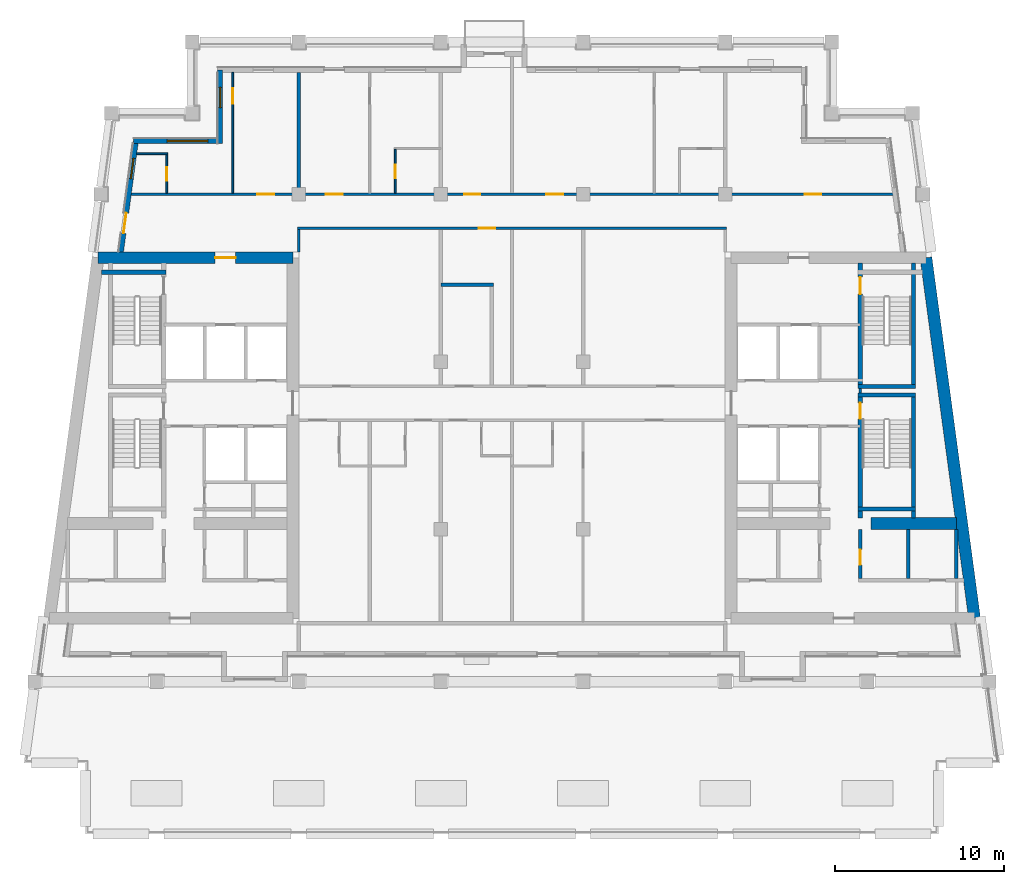
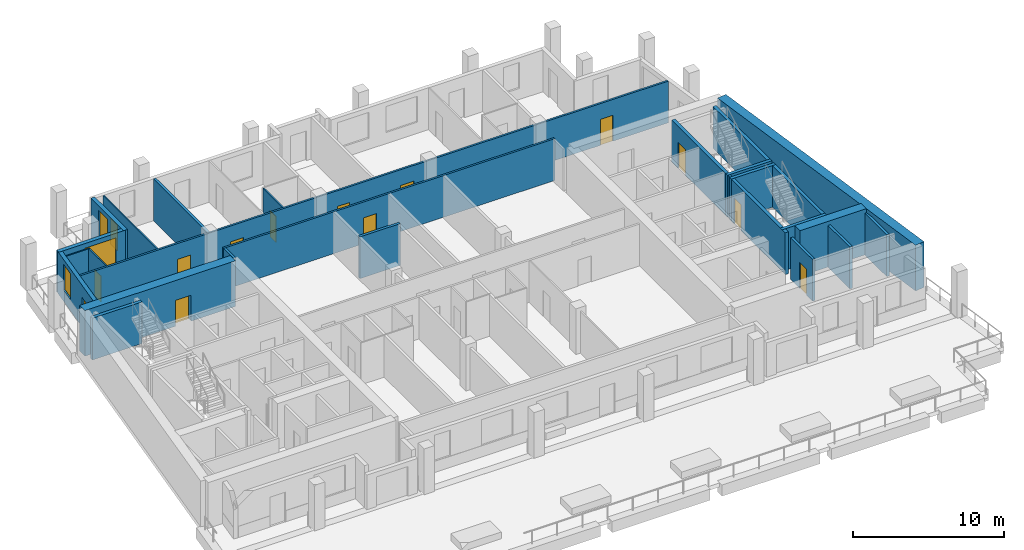
# One storey, part 5 of 12: 27 walls, 14 doors, 3 windows, 17 openings.
"""IFC4 building model written with IfcOpenShell, lengths in metres."""

from ifc_helpers import new_model, si_unit, direction, frame, frame_2d, origin, place, context, subcontext, project, spatial, rectangle, extrude, material, layer, layer_set, type_object, element, fill, save


model = new_model("IFC4")

# Units and contexts
model_context = context("Model", 3, precision=1e-05, world=origin(), true_north=direction((0.0, 1.0)))
body_context = subcontext(model_context, "Body", "Model", "MODEL_VIEW")
ifc_project = project(units=[si_unit("LENGTHUNIT", "METRE"), si_unit("AREAUNIT", "SQUARE_METRE"), si_unit("VOLUMEUNIT", "CUBIC_METRE"), si_unit("PLANEANGLEUNIT", "RADIAN"), si_unit("MASSUNIT", "GRAM", prefix="KILO")], contexts=[model_context])

# Site, building, storey
site_placement = place(None, origin())
site = spatial("IfcSite", under=ifc_project, at=site_placement, CompositionType="ELEMENT")
building_placement = place(site_placement, origin())
building = spatial("IfcBuilding", under=site, at=building_placement, Name="Candeia Pilgrim Tower and Theatre", CompositionType="ELEMENT")
storey_placement = place(building_placement, frame((0.0, 0.0, 259.0)))
storey = spatial("IfcBuildingStorey", under=building, at=storey_placement, Name="L62", CompositionType="ELEMENT", Elevation=259.0)

# Wall, opening, door
ifc_material_1 = material(Name="Concrete C40/50", Category="concrete")
ifc_layer_1 = layer(ifc_material_1, 0.699951171875)
ifc_layer_set_1 = layer_set([ifc_layer_1], Name="Core wall 700 C40/50")
wall_type_1 = type_object("IfcWallType", Name="Core wall 700 C40/50", PredefinedType="SHEAR", material=ifc_layer_set_1)
wall_1_placement = place(storey_placement, frame((88.936767578125, 132.050048828125, 0.0), z_axis=(0.0, 0.0, 1.0), x_axis=(1.0, 0.0, 0.0)))
wall_1 = element("IfcWall", 1, at=wall_1_placement, inside=storey, type_object=wall_type_1, Name="Core wall W1", PredefinedType="SHEAR", context=body_context, shape_type="SweptSolid", body=[
    extrude(rectangle(XDim=11.51318359375, YDim=0.699951171875, at=frame_2d((5.756591796875, 0.0))), origin(), (0.0, 0.0, 1.0), 3.699951171875),
])
opening_1_placement = place(wall_1_placement, frame((6.9267578125, 0.0, 0.0)))
opening_1 = element("IfcOpeningElement", 2, at=opening_1_placement, cuts=wall_1, Name="Opening L62-D044", PredefinedType="OPENING", context=body_context, shape_type="SweptSolid", body=[
    extrude(rectangle(XDim=1.199951171875, YDim=2.10009765625, at=frame_2d((0.60009765625, 1.050048828125))), frame((0.0, 0.35986328125, 0.0), z_axis=(0.0, -1.0, 0.0), x_axis=(1.0, 0.0, 0.0)), (0.0, 0.0, 1.0), 0.719970703125),
])
ifc_material_2 = material(Name="Steel fire door set", Category="steel")
door_type_1 = type_object("IfcDoorType", Name="D-1200-FD60", OperationType="NOTDEFINED", PredefinedType="DOOR", material=ifc_material_2)
door_1_placement = place(opening_1_placement, origin())
door_1 = element("IfcDoor", 3, at=door_1_placement, inside=storey, type_object=door_type_1, Name="Door L62-D044", OperationType="SINGLE_SWING_RIGHT", OverallHeight=2.10009765625, OverallWidth=1.199951171875, PredefinedType="DOOR", context=body_context, shape_type="SweptSolid", body=[
    extrude(rectangle(XDim=1.199951171875, YDim=2.10009765625, at=frame_2d((0.60009765625, 1.050048828125))), frame((0.0, 0.02490234375, 0.0), z_axis=(0.0, -1.0, 0.0), x_axis=(1.0, 0.0, 0.0)), (0.0, 0.0, 1.0), 0.050048828125),
])
fill(opening_1, door_1)

# Walls
wall_2_placement = place(storey_placement, frame((137.86328125, 132.050048828125, 0.0), z_axis=(0.0, 0.0, 1.0), x_axis=(0.133406218907, -0.991061441464, 0.0)))
element("IfcWall", 4, at=wall_2_placement, inside=storey, type_object=wall_type_1, Name="Core wall E2", PredefinedType="SHEAR", context=body_context, shape_type="SweptSolid", body=[
    extrude(rectangle(XDim=21.4921875, YDim=0.699951171875, at=frame_2d((10.74609375, 0.0))), origin(), (0.0, 0.0, 1.0), 3.699951171875),
])
wall_3_placement = place(storey_placement, frame((134.60009765625, 116.35009765625, 0.0), z_axis=(0.0, 0.0, 1.0), x_axis=(1.0, 0.0, 0.0)))
element("IfcWall", 5, at=wall_3_placement, inside=storey, type_object=wall_type_1, Name="Core wall E6", PredefinedType="SHEAR", context=body_context, shape_type="SweptSolid", body=[
    extrude(rectangle(XDim=5.076904296875, YDim=0.699951171875, at=frame_2d((2.53857421875, 0.0))), origin(), (0.0, 0.0, 1.0), 3.699951171875),
])

# Wall, openings, door, window
ifc_material_3 = material(Name="Ceramic block masonry", Category="masonry")
ifc_layer_2 = layer(ifc_material_3, 0.300048828125)
ifc_layer_set_2 = layer_set([ifc_layer_2], Name="EW1 glazing-line wall 300")
wall_type_2 = type_object("IfcWallType", Name="EW1 glazing-line wall 300", PredefinedType="SOLIDWALL", material=ifc_layer_set_2)
wall_4_placement = place(storey_placement, frame((91.177490234375, 138.949951171875, 0.0), z_axis=(0.0, 0.0, 1.0), x_axis=(-0.133426664613, -0.991058689065, 0.0)))
wall_4 = element("IfcWall", 6, at=wall_4_placement, inside=storey, type_object=wall_type_2, Name="External wall L62-0.0", PredefinedType="SOLIDWALL", context=body_context, shape_type="SweptSolid", body=[
    extrude(rectangle(XDim=6.609130859375, YDim=0.300048828125, at=frame_2d((3.3046875, 0.0))), origin(), (0.0, 0.0, 1.0), 3.3798828125),
])
opening_2_placement = place(wall_4_placement, frame((1.039306640625, 0.0, 0.89990234375)))
opening_2 = element("IfcOpeningElement", 7, at=opening_2_placement, cuts=wall_4, Name="Opening W-B", PredefinedType="OPENING", context=body_context, shape_type="SweptSolid", body=[
    extrude(rectangle(XDim=1.199951171875, YDim=2.10009765625, at=frame_2d((0.60009765625, 1.050048828125))), frame((0.0, 0.16015625, 0.0), z_axis=(0.0, -1.0, 0.0), x_axis=(1.0, 0.0, 0.0)), (0.0, 0.0, 1.0), 0.320068359375),
])
opening_3_placement = place(wall_4_placement, frame((4.293701171875, 0.0, 0.0)))
opening_3 = element("IfcOpeningElement", 8, at=opening_3_placement, cuts=wall_4, Name="Opening L62-ED585", PredefinedType="OPENING", context=body_context, shape_type="SweptSolid", body=[
    extrude(rectangle(XDim=1.199951171875, YDim=2.39990234375, at=frame_2d((0.60009765625, 1.199951171875))), frame((0.0, 0.16015625, 0.0), z_axis=(0.0, -1.0, 0.0), x_axis=(1.0, 0.0, 0.0)), (0.0, 0.0, 1.0), 0.320068359375),
])
ifc_material_4 = material(Name="Aluminium framed glazed door", Category="aluminium")
door_type_2 = type_object("IfcDoorType", Name="Loggia door 1200x2400", OperationType="DOUBLE_DOOR_SINGLE_SWING", PredefinedType="DOOR", material=ifc_material_4)
door_2_placement = place(opening_3_placement, origin())
door_2 = element("IfcDoor", 9, at=door_2_placement, inside=storey, type_object=door_type_2, Name="Loggia door L62-ED585", OperationType="DOUBLE_DOOR_SINGLE_SWING", OverallHeight=2.39990234375, OverallWidth=1.199951171875, PredefinedType="DOOR", context=body_context, shape_type="SweptSolid", body=[
    extrude(rectangle(XDim=1.199951171875, YDim=2.39990234375, at=frame_2d((0.60009765625, 1.199951171875))), frame((0.0, 0.02490234375, 0.0), z_axis=(0.0, -1.0, 0.0), x_axis=(1.0, 0.0, 0.0)), (0.0, 0.0, 1.0), 0.050048828125),
])
fill(opening_3, door_2)
ifc_material_5 = material(Name="Aluminium framed double glazing", Category="aluminium")
window_type_1 = type_object("IfcWindowType", Name="W-B window 1200x2100", PartitioningType="SINGLE_PANEL", PredefinedType="WINDOW", material=ifc_material_5)
window_1_placement = place(opening_2_placement, origin())
window_1 = element("IfcWindow", 10, at=window_1_placement, inside=storey, type_object=window_type_1, Name="Window W-B L62", OverallHeight=2.10009765625, OverallWidth=1.199951171875, PartitioningType="SINGLE_PANEL", PredefinedType="WINDOW", context=body_context, shape_type="SweptSolid", body=[
    extrude(rectangle(XDim=1.199951171875, YDim=2.10009765625, at=frame_2d((0.60009765625, 1.050048828125))), frame((0.0, 0.030029296875, 0.0), z_axis=(0.0, -1.0, 0.0), x_axis=(1.0, 0.0, 0.0)), (0.0, 0.0, 1.0), 0.06005859375),
])
fill(opening_2, window_1)

# Wall, opening, window
wall_5_placement = place(storey_placement, frame((96.14990234375, 143.14990234375, 0.0), z_axis=(0.0, 0.0, 1.0), x_axis=(0.0, -1.0, 0.0)))
wall_5 = element("IfcWall", 11, at=wall_5_placement, inside=storey, type_object=wall_type_2, Name="External wall L62-6.0", PredefinedType="SOLIDWALL", context=body_context, shape_type="SweptSolid", body=[
    extrude(rectangle(XDim=4.349853515625, YDim=0.300048828125, at=frame_2d((2.1748046875, 0.0))), origin(), (0.0, 0.0, 1.0), 3.3798828125),
])
opening_4_placement = place(wall_5_placement, frame((1.02490234375, 0.0, 0.89990234375)))
opening_4 = element("IfcOpeningElement", 12, at=opening_4_placement, cuts=wall_5, Name="Opening W-B", PredefinedType="OPENING", context=body_context, shape_type="SweptSolid", body=[
    extrude(rectangle(XDim=1.199951171875, YDim=2.10009765625, at=frame_2d((0.60009765625, 1.050048828125))), frame((0.0, 0.16015625, 0.0), z_axis=(0.0, -1.0, 0.0), x_axis=(1.0, 0.0, 0.0)), (0.0, 0.0, 1.0), 0.320068359375),
])
window_2_placement = place(opening_4_placement, origin())
window_2 = element("IfcWindow", 13, at=window_2_placement, inside=storey, type_object=window_type_1, Name="Window W-B L62", OverallHeight=2.10009765625, OverallWidth=1.199951171875, PartitioningType="SINGLE_PANEL", PredefinedType="WINDOW", context=body_context, shape_type="SweptSolid", body=[
    extrude(rectangle(XDim=1.199951171875, YDim=2.10009765625, at=frame_2d((0.60009765625, 1.050048828125))), frame((0.0, 0.030029296875, 0.0), z_axis=(0.0, -1.0, 0.0), x_axis=(1.0, 0.0, 0.0)), (0.0, 0.0, 1.0), 0.06005859375),
])
fill(opening_4, window_2)

wall_6_placement = place(storey_placement, frame((96.14990234375, 138.949951171875, 0.0), z_axis=(0.0, 0.0, 1.0), x_axis=(-1.0, 0.0, 0.0)))
wall_6 = element("IfcWall", 14, at=wall_6_placement, inside=storey, type_object=wall_type_2, Name="External wall L62-7.0", PredefinedType="SOLIDWALL", context=body_context, shape_type="SweptSolid", body=[
    extrude(rectangle(XDim=5.103759765625, YDim=0.300048828125, at=frame_2d((2.5517578125, 0.0))), origin(), (0.0, 0.0, 1.0), 3.3798828125),
])
opening_5_placement = place(wall_6_placement, frame((0.72509765625, 0.0, 0.89990234375)))
opening_5 = element("IfcOpeningElement", 15, at=opening_5_placement, cuts=wall_6, Name="Opening W-A", PredefinedType="OPENING", context=body_context, shape_type="SweptSolid", body=[
    extrude(rectangle(XDim=2.39990234375, YDim=2.10009765625, at=frame_2d((1.199951171875, 1.050048828125))), frame((0.0, 0.16015625, 0.0), z_axis=(0.0, -1.0, 0.0), x_axis=(1.0, 0.0, 0.0)), (0.0, 0.0, 1.0), 0.320068359375),
])
window_type_2 = type_object("IfcWindowType", Name="W-A window 2400x2100", PartitioningType="DOUBLE_PANEL_VERTICAL", PredefinedType="WINDOW", material=ifc_material_5)
window_3_placement = place(opening_5_placement, origin())
window_3 = element("IfcWindow", 16, at=window_3_placement, inside=storey, type_object=window_type_2, Name="Window W-A L62", OverallHeight=2.10009765625, OverallWidth=2.39990234375, PartitioningType="SINGLE_PANEL", PredefinedType="WINDOW", context=body_context, shape_type="SweptSolid", body=[
    extrude(rectangle(XDim=2.39990234375, YDim=2.10009765625, at=frame_2d((1.199951171875, 1.050048828125))), frame((0.0, 0.030029296875, 0.0), z_axis=(0.0, -1.0, 0.0), x_axis=(1.0, 0.0, 0.0)), (0.0, 0.0, 1.0), 0.06005859375),
])
fill(opening_5, window_3)

# Wall
ifc_material_6 = material(Name="Gypsum board partition on steel studs", Category="steel")
ifc_layer_3 = layer(ifc_material_6, 0.10009765625)
ifc_layer_set_3 = layer_set([ifc_layer_3], Name="PW-100 room partition")
wall_type_3 = type_object("IfcWallType", Name="PW-100 room partition", PredefinedType="PARTITIONING", material=ifc_layer_set_3)
wall_7_placement = place(storey_placement, frame((91.2177734375, 138.199951171875, 0.0), z_axis=(0.0, 0.0, 1.0), x_axis=(1.0, 0.0, 0.0)))
element("IfcWall", 17, at=wall_7_placement, inside=storey, type_object=wall_type_3, Name="Room partition L62-038", PredefinedType="PARTITIONING", context=body_context, shape_type="SweptSolid", body=[
    extrude(rectangle(XDim=1.832275390625, YDim=0.10009765625, at=frame_2d((0.916015625, 0.0))), origin(), (0.0, 0.0, 1.0), 3.3798828125),
])

# Wall, opening, door
wall_8_placement = place(storey_placement, frame((93.0, 135.875, 0.0), z_axis=(0.0, 0.0, 1.0), x_axis=(0.0, 1.0, 0.0)))
wall_8 = element("IfcWall", 18, at=wall_8_placement, inside=storey, type_object=wall_type_3, Name="Room partition L62-050", PredefinedType="PARTITIONING", context=body_context, shape_type="SweptSolid", body=[
    extrude(rectangle(XDim=2.27490234375, YDim=0.10009765625, at=frame_2d((1.137451171875, 0.0))), origin(), (0.0, 0.0, 1.0), 3.3798828125),
])
opening_6_placement = place(wall_8_placement, frame((0.72509765625, 0.0, 0.0)))
opening_6 = element("IfcOpeningElement", 19, at=opening_6_placement, cuts=wall_8, Name="Opening L62-D028", PredefinedType="OPENING", context=body_context, shape_type="SweptSolid", body=[
    extrude(rectangle(XDim=0.800048828125, YDim=2.10009765625, at=frame_2d((0.39990234375, 1.050048828125))), frame((0.0, 0.06005859375, 0.0), z_axis=(0.0, -1.0, 0.0), x_axis=(1.0, 0.0, 0.0)), (0.0, 0.0, 1.0), 0.1201171875),
])
ifc_material_7 = material(Name="Timber door leaf", Category="wood")
door_type_3 = type_object("IfcDoorType", Name="D-800", OperationType="NOTDEFINED", PredefinedType="DOOR", material=ifc_material_7)
door_3_placement = place(opening_6_placement, origin())
door_3 = element("IfcDoor", 20, at=door_3_placement, inside=storey, type_object=door_type_3, Name="Door L62-D028", OperationType="SINGLE_SWING_RIGHT", OverallHeight=2.10009765625, OverallWidth=0.800048828125, PredefinedType="DOOR", context=body_context, shape_type="SweptSolid", body=[
    extrude(rectangle(XDim=0.800048828125, YDim=2.10009765625, at=frame_2d((0.39990234375, 1.050048828125))), frame((0.0, 0.02490234375, 0.0), z_axis=(0.0, -1.0, 0.0), x_axis=(1.0, 0.0, 0.0)), (0.0, 0.0, 1.0), 0.050048828125),
])
fill(opening_6, door_3)

wall_9_placement = place(storey_placement, frame((96.89990234375, 135.875, 0.0), z_axis=(0.0, 0.0, 1.0), x_axis=(0.0, 1.0, 0.0)))
wall_9 = element("IfcWall", 21, at=wall_9_placement, inside=storey, type_object=wall_type_3, Name="Room partition L62-054", PredefinedType="PARTITIONING", context=body_context, shape_type="SweptSolid", body=[
    extrude(rectangle(XDim=7.135009765625, YDim=0.10009765625, at=frame_2d((3.5673828125, 0.0))), origin(), (0.0, 0.0, 1.0), 3.3798828125),
])
opening_7_placement = place(wall_9_placement, frame((5.2900390625, 0.0, 0.0)))
opening_7 = element("IfcOpeningElement", 22, at=opening_7_placement, cuts=wall_9, Name="Opening L62-D027", PredefinedType="OPENING", context=body_context, shape_type="SweptSolid", body=[
    extrude(rectangle(XDim=0.89990234375, YDim=2.10009765625, at=frame_2d((0.449951171875, 1.050048828125))), frame((0.0, 0.06005859375, 0.0), z_axis=(0.0, -1.0, 0.0), x_axis=(1.0, 0.0, 0.0)), (0.0, 0.0, 1.0), 0.1201171875),
])
door_type_4 = type_object("IfcDoorType", Name="D-900", OperationType="NOTDEFINED", PredefinedType="DOOR", material=ifc_material_7)
door_4_placement = place(opening_7_placement, origin())
door_4 = element("IfcDoor", 23, at=door_4_placement, inside=storey, type_object=door_type_4, Name="Door L62-D027", OperationType="SINGLE_SWING_LEFT", OverallHeight=2.10009765625, OverallWidth=0.89990234375, PredefinedType="DOOR", context=body_context, shape_type="SweptSolid", body=[
    extrude(rectangle(XDim=0.89990234375, YDim=2.10009765625, at=frame_2d((0.449951171875, 1.050048828125))), frame((0.0, 0.02490234375, 0.0), z_axis=(0.0, -1.0, 0.0), x_axis=(1.0, 0.0, 0.0)), (0.0, 0.0, 1.0), 0.050048828125),
])
fill(opening_7, door_4)

wall_10_placement = place(storey_placement, frame((106.5, 135.875, 0.0), z_axis=(0.0, 0.0, 1.0), x_axis=(0.0, 1.0, 0.0)))
wall_10 = element("IfcWall", 24, at=wall_10_placement, inside=storey, type_object=wall_type_3, Name="Room partition L62-065", PredefinedType="PARTITIONING", context=body_context, shape_type="SweptSolid", body=[
    extrude(rectangle(XDim=2.574951171875, YDim=0.10009765625, at=frame_2d((1.28759765625, 0.0))), origin(), (0.0, 0.0, 1.0), 3.3798828125),
])
opening_8_placement = place(wall_10_placement, frame((0.875, 0.0, 0.0)))
opening_8 = element("IfcOpeningElement", 25, at=opening_8_placement, cuts=wall_10, Name="Opening L62-D031", PredefinedType="OPENING", context=body_context, shape_type="SweptSolid", body=[
    extrude(rectangle(XDim=0.800048828125, YDim=2.10009765625, at=frame_2d((0.39990234375, 1.050048828125))), frame((0.0, 0.06005859375, 0.0), z_axis=(0.0, -1.0, 0.0), x_axis=(1.0, 0.0, 0.0)), (0.0, 0.0, 1.0), 0.1201171875),
])
door_5_placement = place(opening_8_placement, origin())
door_5 = element("IfcDoor", 26, at=door_5_placement, inside=storey, type_object=door_type_3, Name="Door L62-D031", OperationType="SINGLE_SWING_LEFT", OverallHeight=2.10009765625, OverallWidth=0.800048828125, PredefinedType="DOOR", context=body_context, shape_type="SweptSolid", body=[
    extrude(rectangle(XDim=0.800048828125, YDim=2.10009765625, at=frame_2d((0.39990234375, 1.050048828125))), frame((0.0, 0.02490234375, 0.0), z_axis=(0.0, -1.0, 0.0), x_axis=(1.0, 0.0, 0.0)), (0.0, 0.0, 1.0), 0.050048828125),
])
fill(opening_8, door_5)

# Wall
ifc_layer_4 = layer(ifc_material_6, 0.14990234375)
ifc_layer_set_4 = layer_set([ifc_layer_4], Name="PW-150 lobby wall")
wall_type_4 = type_object("IfcWallType", Name="PW-150 lobby wall", PredefinedType="PARTITIONING", material=ifc_layer_set_4)
wall_11_placement = place(storey_placement, frame((133.972900390625, 124.074951171875, 0.0), z_axis=(0.0, 0.0, 1.0), x_axis=(0.0, 1.0, 0.0)))
element("IfcWall", 27, at=wall_11_placement, inside=storey, type_object=wall_type_4, Name="Lobby wall L62-091", PredefinedType="PARTITIONING", context=body_context, shape_type="SweptSolid", body=[
    extrude(rectangle(XDim=0.25, YDim=0.14990234375, at=frame_2d((0.125, 0.0))), origin(), (0.0, 0.0, 1.0), 3.3798828125),
])

# Wall, opening, door
ifc_layer_5 = layer(ifc_material_6, 0.14990234375)
ifc_layer_set_5 = layer_set([ifc_layer_5], Name="PW-150 unit wall")
wall_type_5 = type_object("IfcWallType", Name="PW-150 unit wall", PredefinedType="PARTITIONING", material=ifc_layer_set_5)
wall_12_placement = place(storey_placement, frame((100.72509765625, 133.800048828125, 0.0), z_axis=(0.0, 0.0, 1.0), x_axis=(1.0, 0.0, 0.0)))
wall_12 = element("IfcWall", 28, at=wall_12_placement, inside=storey, type_object=wall_type_5, Name="Unit wall L62-036", PredefinedType="PARTITIONING", context=body_context, shape_type="SweptSolid", body=[
    extrude(rectangle(XDim=25.349853515625, YDim=0.14990234375, at=frame_2d((12.6748046875, 0.0))), origin(), (0.0, 0.0, 1.0), 3.3798828125),
])
opening_9_placement = place(wall_12_placement, frame((10.699951171875, 0.0, 0.0)))
opening_9 = element("IfcOpeningElement", 29, at=opening_9_placement, cuts=wall_12, Name="Opening L62-D037", PredefinedType="OPENING", context=body_context, shape_type="SweptSolid", body=[
    extrude(rectangle(XDim=1.0, YDim=2.10009765625, at=frame_2d((0.5, 1.050048828125))), frame((0.0, 0.0849609375, 0.0), z_axis=(0.0, -1.0, 0.0), x_axis=(1.0, 0.0, 0.0)), (0.0, 0.0, 1.0), 0.169921875),
])
door_type_5 = type_object("IfcDoorType", Name="D-1000-FD30S", OperationType="NOTDEFINED", PredefinedType="DOOR", material=ifc_material_2)
door_6_placement = place(opening_9_placement, origin())
door_6 = element("IfcDoor", 30, at=door_6_placement, inside=storey, type_object=door_type_5, Name="Door L62-D037", OperationType="SINGLE_SWING_LEFT", OverallHeight=2.10009765625, OverallWidth=1.0, PredefinedType="DOOR", context=body_context, shape_type="SweptSolid", body=[
    extrude(rectangle(XDim=1.0, YDim=2.10009765625, at=frame_2d((0.5, 1.050048828125))), frame((0.0, 0.02490234375, 0.0), z_axis=(0.0, -1.0, 0.0), x_axis=(1.0, 0.0, 0.0)), (0.0, 0.0, 1.0), 0.050048828125),
])
fill(opening_9, door_6)

# Wall, openings, doors
wall_13_placement = place(storey_placement, frame((90.89453125, 135.800048828125, 0.0), z_axis=(0.0, 0.0, 1.0), x_axis=(1.0, 0.0, 0.0)))
wall_13 = element("IfcWall", 31, at=wall_13_placement, inside=storey, type_object=wall_type_5, Name="Unit wall L62-037", PredefinedType="PARTITIONING", context=body_context, shape_type="SweptSolid", body=[
    extrude(rectangle(XDim=45.010986328125, YDim=0.14990234375, at=frame_2d((22.50537109375, 0.0))), origin(), (0.0, 0.0, 1.0), 3.3798828125),
])
opening_10_placement = place(wall_13_placement, frame((7.455322265625, 0.0, 0.0)))
opening_10 = element("IfcOpeningElement", 32, at=opening_10_placement, cuts=wall_13, Name="Opening L62-D026", PredefinedType="OPENING", context=body_context, shape_type="SweptSolid", body=[
    extrude(rectangle(XDim=1.0, YDim=2.10009765625, at=frame_2d((0.5, 1.050048828125))), frame((0.0, 0.0849609375, 0.0), z_axis=(0.0, -1.0, 0.0), x_axis=(1.0, 0.0, 0.0)), (0.0, 0.0, 1.0), 0.169921875),
])
opening_11_placement = place(wall_13_placement, frame((11.50537109375, 0.0, 0.0)))
opening_11 = element("IfcOpeningElement", 33, at=opening_11_placement, cuts=wall_13, Name="Opening L62-D029", PredefinedType="OPENING", context=body_context, shape_type="SweptSolid", body=[
    extrude(rectangle(XDim=1.0, YDim=2.10009765625, at=frame_2d((0.5, 1.050048828125))), frame((0.0, 0.0849609375, 0.0), z_axis=(0.0, -1.0, 0.0), x_axis=(1.0, 0.0, 0.0)), (0.0, 0.0, 1.0), 0.169921875),
])
opening_12_placement = place(wall_13_placement, frame((19.67529296875, 0.0, 0.0)))
opening_12 = element("IfcOpeningElement", 34, at=opening_12_placement, cuts=wall_13, Name="Opening L62-D032", PredefinedType="OPENING", context=body_context, shape_type="SweptSolid", body=[
    extrude(rectangle(XDim=0.949951171875, YDim=2.10009765625, at=frame_2d((0.47509765625, 1.050048828125))), frame((0.0, 0.0849609375, 0.0), z_axis=(0.0, -1.0, 0.0), x_axis=(1.0, 0.0, 0.0)), (0.0, 0.0, 1.0), 0.169921875),
])
opening_13_placement = place(wall_13_placement, frame((24.530517578125, 0.0, 0.0)))
opening_13 = element("IfcOpeningElement", 35, at=opening_13_placement, cuts=wall_13, Name="Opening L62-D033", PredefinedType="OPENING", context=body_context, shape_type="SweptSolid", body=[
    extrude(rectangle(XDim=1.0, YDim=2.10009765625, at=frame_2d((0.5, 1.050048828125))), frame((0.0, 0.0849609375, 0.0), z_axis=(0.0, -1.0, 0.0), x_axis=(1.0, 0.0, 0.0)), (0.0, 0.0, 1.0), 0.169921875),
])
opening_14_placement = place(wall_13_placement, frame((39.814453125, 0.0, 0.0)))
opening_14 = element("IfcOpeningElement", 36, at=opening_14_placement, cuts=wall_13, Name="Opening L62-D036", PredefinedType="OPENING", context=body_context, shape_type="SweptSolid", body=[
    extrude(rectangle(XDim=0.949951171875, YDim=2.10009765625, at=frame_2d((0.47509765625, 1.050048828125))), frame((0.0, 0.0849609375, 0.0), z_axis=(0.0, -1.0, 0.0), x_axis=(1.0, 0.0, 0.0)), (0.0, 0.0, 1.0), 0.169921875),
])
door_7_placement = place(opening_10_placement, origin())
door_7 = element("IfcDoor", 37, at=door_7_placement, inside=storey, type_object=door_type_5, Name="Door L62-D026", OperationType="SINGLE_SWING_RIGHT", OverallHeight=2.10009765625, OverallWidth=1.0, PredefinedType="DOOR", context=body_context, shape_type="SweptSolid", body=[
    extrude(rectangle(XDim=1.0, YDim=2.10009765625, at=frame_2d((0.5, 1.050048828125))), frame((0.0, 0.02490234375, 0.0), z_axis=(0.0, -1.0, 0.0), x_axis=(1.0, 0.0, 0.0)), (0.0, 0.0, 1.0), 0.050048828125),
])
fill(opening_10, door_7)
door_8_placement = place(opening_11_placement, origin())
door_8 = element("IfcDoor", 38, at=door_8_placement, inside=storey, type_object=door_type_5, Name="Door L62-D029", OperationType="SINGLE_SWING_LEFT", OverallHeight=2.10009765625, OverallWidth=1.0, PredefinedType="DOOR", context=body_context, shape_type="SweptSolid", body=[
    extrude(rectangle(XDim=1.0, YDim=2.10009765625, at=frame_2d((0.5, 1.050048828125))), frame((0.0, 0.02490234375, 0.0), z_axis=(0.0, -1.0, 0.0), x_axis=(1.0, 0.0, 0.0)), (0.0, 0.0, 1.0), 0.050048828125),
])
fill(opening_11, door_8)
door_9_placement = place(opening_13_placement, origin())
door_9 = element("IfcDoor", 39, at=door_9_placement, inside=storey, type_object=door_type_5, Name="Door L62-D033", OperationType="SINGLE_SWING_LEFT", OverallHeight=2.10009765625, OverallWidth=1.0, PredefinedType="DOOR", context=body_context, shape_type="SweptSolid", body=[
    extrude(rectangle(XDim=1.0, YDim=2.10009765625, at=frame_2d((0.5, 1.050048828125))), frame((0.0, 0.02490234375, 0.0), z_axis=(0.0, -1.0, 0.0), x_axis=(1.0, 0.0, 0.0)), (0.0, 0.0, 1.0), 0.050048828125),
])
fill(opening_13, door_9)
door_type_6 = type_object("IfcDoorType", Name="D-950-FD30S", OperationType="NOTDEFINED", PredefinedType="DOOR", material=ifc_material_2)
door_10_placement = place(opening_12_placement, origin())
door_10 = element("IfcDoor", 40, at=door_10_placement, inside=storey, type_object=door_type_6, Name="Door L62-D032", OperationType="SINGLE_SWING_RIGHT", OverallHeight=2.10009765625, OverallWidth=0.949951171875, PredefinedType="DOOR", context=body_context, shape_type="SweptSolid", body=[
    extrude(rectangle(XDim=0.949951171875, YDim=2.10009765625, at=frame_2d((0.47509765625, 1.050048828125))), frame((0.0, 0.02490234375, 0.0), z_axis=(0.0, -1.0, 0.0), x_axis=(1.0, 0.0, 0.0)), (0.0, 0.0, 1.0), 0.050048828125),
])
fill(opening_12, door_10)
door_11_placement = place(opening_14_placement, origin())
door_11 = element("IfcDoor", 41, at=door_11_placement, inside=storey, type_object=door_type_6, Name="Door L62-D036", OperationType="SINGLE_SWING_RIGHT", OverallHeight=2.10009765625, OverallWidth=0.949951171875, PredefinedType="DOOR", context=body_context, shape_type="SweptSolid", body=[
    extrude(rectangle(XDim=0.949951171875, YDim=2.10009765625, at=frame_2d((0.47509765625, 1.050048828125))), frame((0.0, 0.02490234375, 0.0), z_axis=(0.0, -1.0, 0.0), x_axis=(1.0, 0.0, 0.0)), (0.0, 0.0, 1.0), 0.050048828125),
])
fill(opening_14, door_11)

# Walls
wall_14_placement = place(storey_placement, frame((100.800048828125, 132.39990234375, 0.0), z_axis=(0.0, 0.0, 1.0), x_axis=(0.0, 1.0, 0.0)))
element("IfcWall", 42, at=wall_14_placement, inside=storey, type_object=wall_type_5, Name="Unit wall L62-061", PredefinedType="PARTITIONING", context=body_context, shape_type="SweptSolid", body=[
    extrude(rectangle(XDim=1.3251953125, YDim=0.14990234375, at=frame_2d((0.66259765625, 0.0))), origin(), (0.0, 0.0, 1.0), 3.3798828125),
])
ifc_layer_6 = layer(ifc_material_6, 0.199951171875)
ifc_layer_set_6 = layer_set([ifc_layer_6], Name="PW-200 party wall")
wall_type_6 = type_object("IfcWallType", Name="PW-200 party wall", PredefinedType="PARTITIONING", material=ifc_layer_set_6)
wall_15_placement = place(storey_placement, frame((109.199951171875, 130.449951171875, 0.0), z_axis=(0.0, 0.0, 1.0), x_axis=(1.0, 0.0, 0.0)))
element("IfcWall", 43, at=wall_15_placement, inside=storey, type_object=wall_type_6, Name="Party wall L62-033", PredefinedType="PARTITIONING", context=body_context, shape_type="SweptSolid", body=[
    extrude(rectangle(XDim=3.10009765625, YDim=0.199951171875, at=frame_2d((1.550048828125, 0.0))), origin(), (0.0, 0.0, 1.0), 3.3798828125),
])
wall_16_placement = place(storey_placement, frame((100.800048828125, 135.875, 0.0), z_axis=(0.0, 0.0, 1.0), x_axis=(0.0, 1.0, 0.0)))
element("IfcWall", 44, at=wall_16_placement, inside=storey, type_object=wall_type_6, Name="Party wall L62-060", PredefinedType="PARTITIONING", context=body_context, shape_type="SweptSolid", body=[
    extrude(rectangle(XDim=7.135009765625, YDim=0.199951171875, at=frame_2d((3.5673828125, 0.0))), origin(), (0.0, 0.0, 1.0), 3.3798828125),
])

# Wall, opening, door
ifc_layer_7 = layer(ifc_material_1, 0.199951171875)
ifc_layer_set_7 = layer_set([ifc_layer_7], Name="SW-200 shaft wall")
wall_type_7 = type_object("IfcWallType", Name="SW-200 shaft wall", PredefinedType="PARTITIONING", material=ifc_layer_set_7)
wall_17_placement = place(storey_placement, frame((133.972900390625, 113.10009765625, 0.0), z_axis=(0.0, 0.0, 1.0), x_axis=(0.0, 1.0, 0.0)))
wall_17 = element("IfcWall", 45, at=wall_17_placement, inside=storey, type_object=wall_type_7, Name="Shaft wall L62-090", PredefinedType="PARTITIONING", context=body_context, shape_type="SweptSolid", body=[
    extrude(rectangle(XDim=2.89990234375, YDim=0.199951171875, at=frame_2d((1.449951171875, 0.0))), origin(), (0.0, 0.0, 1.0), 3.3798828125),
])
opening_15_placement = place(wall_17_placement, frame((0.81005859375, 0.0, 0.0)))
opening_15 = element("IfcOpeningElement", 46, at=opening_15_placement, cuts=wall_17, Name="Opening L62-D014", PredefinedType="OPENING", context=body_context, shape_type="SweptSolid", body=[
    extrude(rectangle(XDim=0.89990234375, YDim=2.10009765625, at=frame_2d((0.449951171875, 1.050048828125))), frame((0.0, 0.10986328125, 0.0), z_axis=(0.0, -1.0, 0.0), x_axis=(1.0, 0.0, 0.0)), (0.0, 0.0, 1.0), 0.219970703125),
])
door_type_7 = type_object("IfcDoorType", Name="D-900-FD60", OperationType="NOTDEFINED", PredefinedType="DOOR", material=ifc_material_2)
door_12_placement = place(opening_15_placement, origin())
door_12 = element("IfcDoor", 47, at=door_12_placement, inside=storey, type_object=door_type_7, Name="Door L62-D014", OperationType="SINGLE_SWING_RIGHT", OverallHeight=2.10009765625, OverallWidth=0.89990234375, PredefinedType="DOOR", context=body_context, shape_type="SweptSolid", body=[
    extrude(rectangle(XDim=0.89990234375, YDim=2.10009765625, at=frame_2d((0.449951171875, 1.050048828125))), frame((0.0, 0.02490234375, 0.0), z_axis=(0.0, -1.0, 0.0), x_axis=(1.0, 0.0, 0.0)), (0.0, 0.0, 1.0), 0.050048828125),
])
fill(opening_15, door_12)

# Walls
for number, where, z_axis, x_axis, name in (
    (48, (136.822998046875, 113.10009765625, 0.0), (0.0, 0.0, 1.0), (0.0, 1.0, 0.0), "Shaft wall L62-094"),
    (49, (139.651611328125, 113.10009765625, 0.0), (0.0, 0.0, 1.0), (0.0, 1.0, 0.0), "Shaft wall L62-097"),
):
    element("IfcWall", number, at=place(storey_placement, frame(where, z_axis=z_axis, x_axis=x_axis)), inside=storey, type_object=wall_type_7, Name=name, PredefinedType="PARTITIONING", context=body_context, shape_type="SweptSolid", body=[
        extrude(rectangle(XDim=2.89990234375, YDim=0.199951171875, at=frame_2d((1.449951171875, 0.0))), origin(), (0.0, 0.0, 1.0), 3.3798828125),
    ])
ifc_layer_8 = layer(ifc_material_1, 0.25)
ifc_layer_set_8 = layer_set([ifc_layer_8], Name="SW-250 stair wall")
wall_type_8 = type_object("IfcWallType", Name="SW-250 stair wall", PredefinedType="PARTITIONING", material=ifc_layer_set_8)
for number, where, z_axis, x_axis, name in (
    (50, (133.847900390625, 117.199951171875, 0.0), (0.0, 0.0, 1.0), (1.0, 0.0, 0.0), "Stair wall L62-011"),
    (51, (133.847900390625, 123.949951171875, 0.0), (0.0, 0.0, 1.0), (1.0, 0.0, 0.0), "Stair wall L62-023"),
    (52, (133.847900390625, 124.449951171875, 0.0), (0.0, 0.0, 1.0), (1.0, 0.0, 0.0), "Stair wall L62-025"),
):
    element("IfcWall", number, at=place(storey_placement, frame(where, z_axis=z_axis, x_axis=x_axis)), inside=storey, type_object=wall_type_8, Name=name, PredefinedType="PARTITIONING", context=body_context, shape_type="SweptSolid", body=[
        extrude(rectangle(XDim=3.400146484375, YDim=0.25, at=frame_2d((1.7001953125, 0.0))), origin(), (0.0, 0.0, 1.0), 3.3798828125),
    ])
wall_18_placement = place(storey_placement, frame((89.1455078125, 131.199951171875, 0.0), z_axis=(0.0, 0.0, 1.0), x_axis=(1.0, 0.0, 0.0)))
element("IfcWall", 53, at=wall_18_placement, inside=storey, type_object=wall_type_8, Name="Stair wall L62-034", PredefinedType="PARTITIONING", context=body_context, shape_type="SweptSolid", body=[
    extrude(rectangle(XDim=3.806396484375, YDim=0.25, at=frame_2d((1.9033203125, 0.0))), origin(), (0.0, 0.0, 1.0), 3.3798828125),
])

# Wall, opening, door
wall_19_placement = place(storey_placement, frame((133.972900390625, 116.669921875, 0.0), z_axis=(0.0, 0.0, 1.0), x_axis=(0.0, 1.0, 0.0)))
wall_19 = element("IfcWall", 54, at=wall_19_placement, inside=storey, type_object=wall_type_8, Name="Stair wall L62-092", PredefinedType="PARTITIONING", context=body_context, shape_type="SweptSolid", body=[
    extrude(rectangle(XDim=7.155029296875, YDim=0.25, at=frame_2d((3.57763671875, 0.0))), origin(), (0.0, 0.0, 1.0), 3.3798828125),
])
opening_16_placement = place(wall_19_placement, frame((5.85498046875, 0.0, 0.0)))
opening_16 = element("IfcOpeningElement", 55, at=opening_16_placement, cuts=wall_19, Name="Opening L62-D010", PredefinedType="OPENING", context=body_context, shape_type="SweptSolid", body=[
    extrude(rectangle(XDim=0.949951171875, YDim=2.10009765625, at=frame_2d((0.47509765625, 1.050048828125))), frame((0.0, 0.135009765625, 0.0), z_axis=(0.0, -1.0, 0.0), x_axis=(1.0, 0.0, 0.0)), (0.0, 0.0, 1.0), 0.27001953125),
])
door_type_8 = type_object("IfcDoorType", Name="D-950-FD60", OperationType="NOTDEFINED", PredefinedType="DOOR", material=ifc_material_2)
door_13_placement = place(opening_16_placement, origin())
door_13 = element("IfcDoor", 56, at=door_13_placement, inside=storey, type_object=door_type_8, Name="Door L62-D010", OperationType="SINGLE_SWING_RIGHT", OverallHeight=2.10009765625, OverallWidth=0.949951171875, PredefinedType="DOOR", context=body_context, shape_type="SweptSolid", body=[
    extrude(rectangle(XDim=0.949951171875, YDim=2.10009765625, at=frame_2d((0.47509765625, 1.050048828125))), frame((0.0, 0.02490234375, 0.0), z_axis=(0.0, -1.0, 0.0), x_axis=(1.0, 0.0, 0.0)), (0.0, 0.0, 1.0), 0.050048828125),
])
fill(opening_16, door_13)

wall_20_placement = place(storey_placement, frame((133.972900390625, 124.574951171875, 0.0), z_axis=(0.0, 0.0, 1.0), x_axis=(0.0, 1.0, 0.0)))
wall_20 = element("IfcWall", 57, at=wall_20_placement, inside=storey, type_object=wall_type_8, Name="Stair wall L62-093", PredefinedType="PARTITIONING", context=body_context, shape_type="SweptSolid", body=[
    extrude(rectangle(XDim=7.155029296875, YDim=0.25, at=frame_2d((3.57763671875, 0.0))), origin(), (0.0, 0.0, 1.0), 3.3798828125),
])
opening_17_placement = place(wall_20_placement, frame((5.324951171875, 0.0, 0.0)))
opening_17 = element("IfcOpeningElement", 58, at=opening_17_placement, cuts=wall_20, Name="Opening L62-D011", PredefinedType="OPENING", context=body_context, shape_type="SweptSolid", body=[
    extrude(rectangle(XDim=1.0, YDim=2.10009765625, at=frame_2d((0.5, 1.050048828125))), frame((0.0, 0.135009765625, 0.0), z_axis=(0.0, -1.0, 0.0), x_axis=(1.0, 0.0, 0.0)), (0.0, 0.0, 1.0), 0.27001953125),
])
door_type_9 = type_object("IfcDoorType", Name="D-1000-FD60", OperationType="NOTDEFINED", PredefinedType="DOOR", material=ifc_material_2)
door_14_placement = place(opening_17_placement, origin())
door_14 = element("IfcDoor", 59, at=door_14_placement, inside=storey, type_object=door_type_9, Name="Door L62-D011", OperationType="SINGLE_SWING_LEFT", OverallHeight=2.10009765625, OverallWidth=1.0, PredefinedType="DOOR", context=body_context, shape_type="SweptSolid", body=[
    extrude(rectangle(XDim=1.0, YDim=2.10009765625, at=frame_2d((0.5, 1.050048828125))), frame((0.0, 0.02490234375, 0.0), z_axis=(0.0, -1.0, 0.0), x_axis=(1.0, 0.0, 0.0)), (0.0, 0.0, 1.0), 0.050048828125),
])
fill(opening_17, door_14)

# Walls
for number, where, z_axis, x_axis, name in (
    (60, (137.123046875, 116.669921875, 0.0), (0.0, 0.0, 1.0), (0.0, 1.0, 0.0), "Stair wall L62-095"),
    (61, (137.123046875, 124.574951171875, 0.0), (0.0, 0.0, 1.0), (0.0, 1.0, 0.0), "Stair wall L62-096"),
):
    element("IfcWall", number, at=place(storey_placement, frame(where, z_axis=z_axis, x_axis=x_axis)), inside=storey, type_object=wall_type_8, Name=name, PredefinedType="PARTITIONING", context=body_context, shape_type="SweptSolid", body=[
        extrude(rectangle(XDim=7.155029296875, YDim=0.25, at=frame_2d((3.57763671875, 0.0))), origin(), (0.0, 0.0, 1.0), 3.3798828125),
    ])

save(model, "model.ifc")
